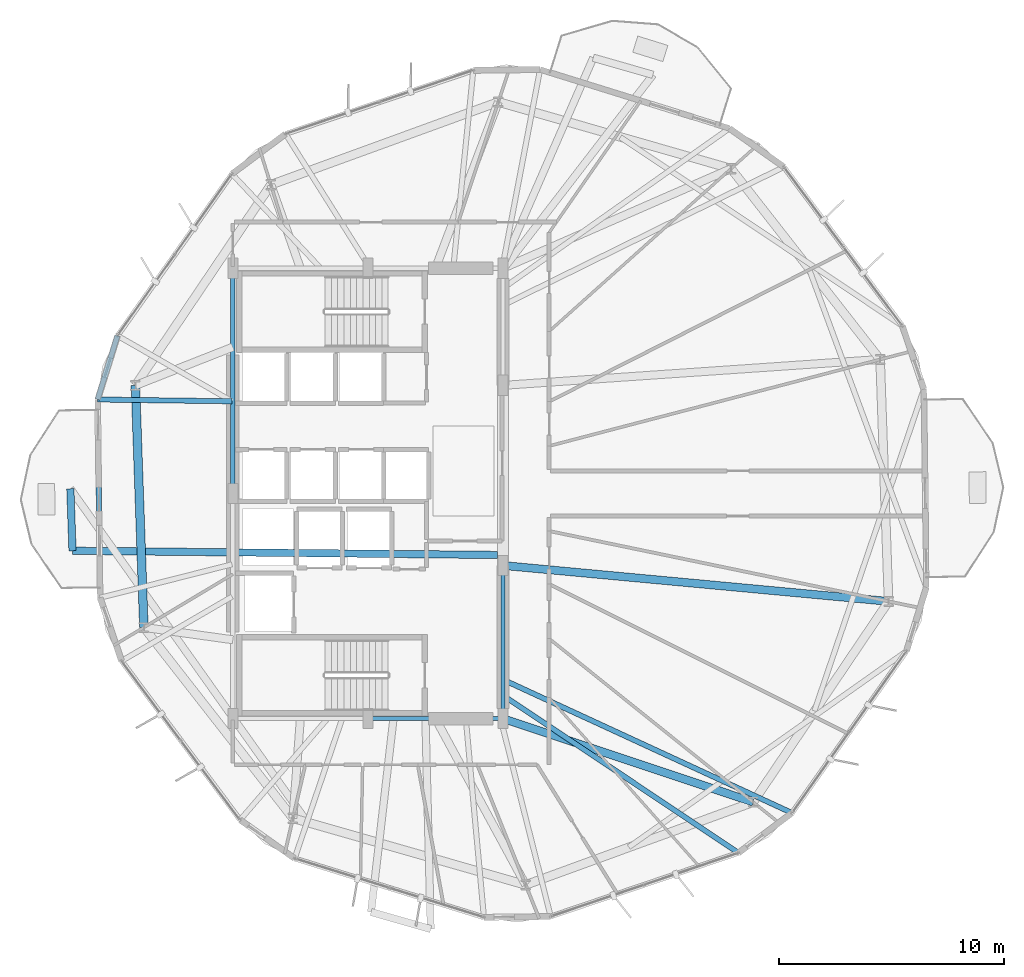
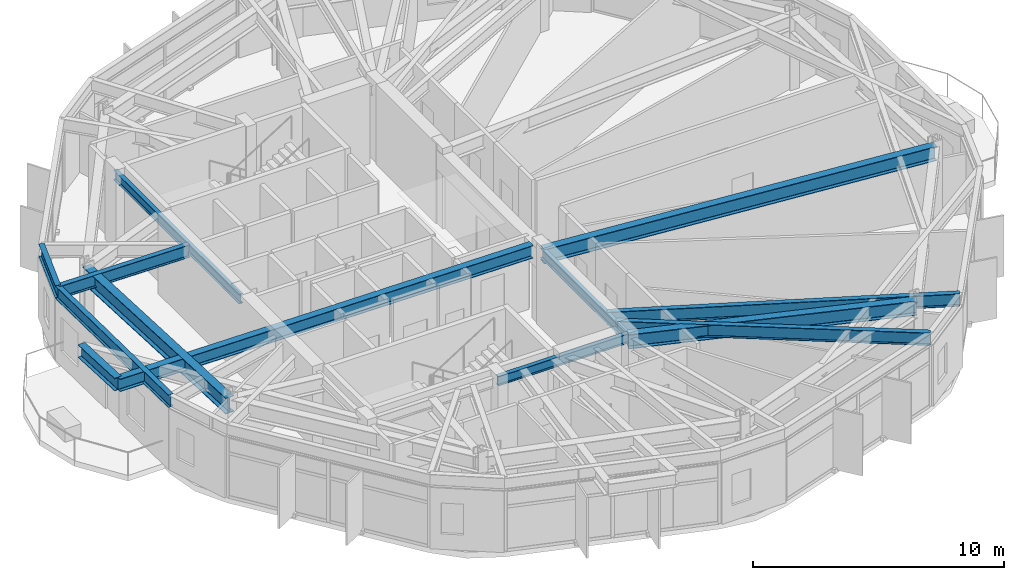
# One storey, part 8 of 25: 13 beams.
"""IFC4 building model written with IfcOpenShell, lengths in metres."""

import ifcopenshell
import ifcopenshell.guid

model = None  # the IFC model being written
_history = None  # IfcOwnerHistory: only IFC2X3 demands one
_inside = {}  # id of a spatial element -> (the spatial element, [elements in it])
_under = {}  # id of a project, library or spatial element -> (it, [spatial elements below it])
_declared = {}  # id of a project -> (the project, [libraries it declares])
_typed = {}  # id of a type object -> (the type object, [elements of that type])
_made_of = {}  # id of a material, layer set ... -> (it, [elements and type objects made of it])


def new_model(schema):
    """Start an empty IFC model of exactly this schema.

    Asked for "IFC4X3", IfcOpenShell would pick the latest addendum, in which some entities
    have other attributes; the version numbers below select the first issue.
    IFC2X3 requires an IfcOwnerHistory on every rooted entity: one is made here for all.
    """
    global model, _history
    if schema == "IFC4X3":
        model = ifcopenshell.file(schema_version=(4, 3, 0, 0))
    else:
        model = ifcopenshell.file(schema=schema)
    _inside.clear()
    _under.clear()
    _declared.clear()
    _typed.clear()
    _made_of.clear()
    _history = None
    if model.schema == "IFC2X3":
        org = make("IfcOrganization", Name="unknown")
        user = make(
            "IfcPersonAndOrganization",
            ThePerson=make("IfcPerson", FamilyName="unknown"),
            TheOrganization=org,
        )
        app = make(
            "IfcApplication",
            ApplicationDeveloper=org,
            Version="unknown",
            ApplicationFullName="unknown",
            ApplicationIdentifier="unknown",
        )
        _history = make(
            "IfcOwnerHistory",
            OwningUser=user,
            OwningApplication=app,
            ChangeAction="ADDED",
            CreationDate=0,
        )
    return model


def make(cls, **values):
    """One entity of the class cls with the attributes given. An attribute that is None is left unset."""
    return model.create_entity(
        cls, **{name: value for name, value in values.items() if value is not None}
    )


def rooted(cls, **values):
    """An entity with a GlobalId (a new one), such as an element, a storey or a relation."""
    return make(cls, GlobalId=ifcopenshell.guid.new(), OwnerHistory=_history, **values)


def si_unit(unit_type, name, prefix=None):
    """IfcSIUnit, for example si_unit("LENGTHUNIT", "METRE", prefix="MILLI")."""
    return make("IfcSIUnit", UnitType=unit_type, Prefix=prefix, Name=name)


def assignment(units):
    """IfcUnitAssignment: the units of a project."""
    return None if units is None else make("IfcUnitAssignment", Units=units)


def point(xyz):
    """IfcCartesianPoint."""
    return None if xyz is None else make("IfcCartesianPoint", Coordinates=xyz)


def direction(xyz):
    """IfcDirection."""
    return None if xyz is None else make("IfcDirection", DirectionRatios=xyz)


def frame(location, z_axis=None, x_axis=None):
    """IfcAxis2Placement3D, a coordinate frame: its origin and axes. An axis left out is left unset."""
    return make(
        "IfcAxis2Placement3D",
        Location=point(location),
        Axis=direction(z_axis),
        RefDirection=direction(x_axis),
    )


def frame_2d(location, x_axis=None):
    """IfcAxis2Placement2D, a coordinate frame in the plane: its origin and x axis."""
    return make(
        "IfcAxis2Placement2D", Location=point(location), RefDirection=direction(x_axis)
    )


def origin():
    """The frame at (0, 0, 0) with its axes left unset."""
    return frame((0.0, 0.0, 0.0))


def origin_2d():
    """The frame at (0, 0) in the plane with its x axis left unset."""
    return frame_2d((0.0, 0.0))


def place(relative_to, where):
    """IfcLocalPlacement: puts the frame where relative to a parent placement (None: the world)."""
    return make(
        "IfcLocalPlacement", PlacementRelTo=relative_to, RelativePlacement=where
    )


def context(
    kind, dimensions, precision=None, world=None, true_north=None, identifier=None
):
    """IfcGeometricRepresentationContext, for example the 3D "Model" context."""
    return make(
        "IfcGeometricRepresentationContext",
        ContextIdentifier=identifier,
        ContextType=kind,
        CoordinateSpaceDimension=dimensions,
        Precision=precision,
        WorldCoordinateSystem=world,
        TrueNorth=true_north,
    )


def subcontext(parent, identifier, kind, view, scale=None):
    """IfcGeometricRepresentationSubContext, for example "Body" below "Model"."""
    return make(
        "IfcGeometricRepresentationSubContext",
        ContextIdentifier=identifier,
        ContextType=kind,
        ParentContext=parent,
        TargetScale=scale,
        TargetView=view,
    )


def project(units=None, contexts=None):
    """IfcProject with its units and contexts."""
    return rooted(
        "IfcProject",
        Name="project",
        RepresentationContexts=contexts,
        UnitsInContext=assignment(units),
    )


def spatial(cls, under=None, at=None, **own):
    """A site, building, storey or space (cls), placed at a placement, below another one or the project."""
    s = rooted(cls, ObjectPlacement=at, **own)
    if under is not None:
        _under.setdefault(under.id(), (under, []))[1].append(s)
    return s


def profile(cls, at=None, kind="AREA", **sizes):
    """A parametric profile (cls). Its sizes go by their IFC names, for example OverallWidth=200.0."""
    return make(cls, ProfileType=kind, Position=at, **sizes)


def i_section(**sizes):
    """IfcIShapeProfileDef."""
    return profile("IfcIShapeProfileDef", **sizes)


def extrude(swept, where, along, depth):
    """IfcExtrudedAreaSolid: the profile swept, set in the frame where, extruded along a direction by depth."""
    return make(
        "IfcExtrudedAreaSolid",
        SweptArea=swept,
        Position=where,
        ExtrudedDirection=direction(along),
        Depth=depth,
    )


def shape(context_of_items, identifier, shape_type, items):
    """IfcShapeRepresentation: the items that make up one representation, for example the "Body"."""
    return make(
        "IfcShapeRepresentation",
        ContextOfItems=context_of_items,
        RepresentationIdentifier=identifier,
        RepresentationType=shape_type,
        Items=items,
    )


def material(Name=None, Category=None):
    """IfcMaterial."""
    return make("IfcMaterial", Name=Name, Category=Category)


def material_profile(
    of_material, cross_section, Name=None, Category=None, Priority=None
):
    """IfcMaterialProfile: a cross section and its material."""
    return make(
        "IfcMaterialProfile",
        Name=Name,
        Material=of_material,
        Profile=cross_section,
        Priority=Priority,
        Category=Category,
    )


def profile_set(profiles, Name=None, composite=None):
    """IfcMaterialProfileSet."""
    return make(
        "IfcMaterialProfileSet",
        Name=Name,
        MaterialProfiles=profiles,
        CompositeProfile=composite,
    )


def made_of(thing, what):
    """Note that an element or type object is made of a material, layer set ...; save() writes the relation."""
    if what is not None:
        _made_of.setdefault(what.id(), (what, []))[1].append(thing)
    return thing


def type_object(cls, material=None, **own):
    """A type object (cls), such as IfcWallType, which elements share."""
    return made_of(rooted(cls, **own), material)


def element(
    cls,
    number,
    at=None,
    inside=None,
    cuts=None,
    type_object=None,
    material=None,
    context=None,
    identifier="Body",
    shape_type=None,
    held_by="IfcProductDefinitionShape",
    body=None,
    shapes=None,
    **own,
):
    """One element of the class cls, such as IfcWall. Its Tag is "e" and its number.

    at: its placement. inside: the storey or other place that contains it. cuts: it is an
    opening in that element (IfcRelVoidsElement). A single representation is given by context,
    identifier, shape_type and body (its items); several are given by shapes. held_by: the class
    of the entity that holds the representations. save() writes the other relations.
    """
    e = rooted(cls, Tag="e%d" % number, ObjectPlacement=at, **own)
    if body is not None:
        shapes = [shape(context, identifier, shape_type, body)]
    if shapes is not None:
        e.Representation = make(held_by, Representations=shapes)
    if inside is not None:
        _inside.setdefault(inside.id(), (inside, []))[1].append(e)
    if cuts is not None:
        rooted(
            "IfcRelVoidsElement", RelatingBuildingElement=cuts, RelatedOpeningElement=e
        )
    if type_object is not None:
        _typed.setdefault(type_object.id(), (type_object, []))[1].append(e)
    return made_of(e, material)


def aggregate(whole, parts):
    """IfcRelAggregates: a whole, such as a stair, and the parts it consists of."""
    return rooted("IfcRelAggregates", RelatingObject=whole, RelatedObjects=parts)


def save(model, path):
    """Write the relations noted so far, then the file.

    IfcRelAggregates (storeys below a building ...), IfcRelContainedInSpatialStructure (elements
    in a storey), IfcRelDefinesByType, IfcRelAssociatesMaterial and IfcRelDeclares: one each for
    every whole, place, type object, material and project.
    """
    for whole, parts in _under.values():
        aggregate(whole, parts)
    for where, things in _inside.values():
        rooted(
            "IfcRelContainedInSpatialStructure",
            RelatedElements=things,
            RelatingStructure=where,
        )
    for kind, things in _typed.values():
        rooted("IfcRelDefinesByType", RelatedObjects=things, RelatingType=kind)
    for what, things in _made_of.values():
        rooted("IfcRelAssociatesMaterial", RelatedObjects=things, RelatingMaterial=what)
    for by, libraries in _declared.values():
        rooted("IfcRelDeclares", RelatingContext=by, RelatedDefinitions=libraries)
    model.write(path)


model = new_model("IFC4")

# Units and contexts
model_context = context("Model", 3, precision=1e-05, world=origin(), true_north=direction((0.0, 1.0)))
body_context = subcontext(model_context, "Body", "Model", "MODEL_VIEW")
ifc_project = project(units=[si_unit("LENGTHUNIT", "METRE"), si_unit("AREAUNIT", "SQUARE_METRE"), si_unit("VOLUMEUNIT", "CUBIC_METRE"), si_unit("PLANEANGLEUNIT", "RADIAN"), si_unit("MASSUNIT", "GRAM", prefix="KILO")], contexts=[model_context])

# Site, building, storey
site_placement = place(None, origin())
site = spatial("IfcSite", under=ifc_project, at=site_placement, CompositionType="ELEMENT")
building_placement = place(site_placement, origin())
building = spatial("IfcBuilding", under=site, at=building_placement, Name="Soratama Intermodal Tower", CompositionType="ELEMENT")
storey_placement = place(building_placement, frame((0.0, 0.0, 106.89990234375)))
storey = spatial("IfcBuildingStorey", under=building, at=storey_placement, Name="L25", CompositionType="ELEMENT", Elevation=106.89990234375)

# Beams
ifc_material_1 = material(Name="Structural steel ASTM A992 Grade 50", Category="steel")
ifc_material_profile_1 = material_profile(ifc_material_1, i_section(OverallWidth=0.324951171875, OverallDepth=0.615966796875, WebThickness=0.013916015625, FlangeThickness=0.021484375, FilletRadius=0.013916015625, at=origin_2d()), Name="W24X117")
ifc_profile_set_1 = profile_set([ifc_material_profile_1], Name="Structural steel ASTM A992 Grade 50")
beam_type_1 = type_object("IfcBeamType", Name="BM-CANT-W24X117", PredefinedType="BEAM", material=ifc_profile_set_1)
beam_1_placement = place(storey_placement, frame((25.383056640625, 25.2080078125, 3.2919921875), z_axis=(0.03480389059, -0.99939416108, 0.0), x_axis=(0.99939416108, 0.03480389059, 0.0)))
element("IfcBeam", 1, at=beam_1_placement, inside=storey, type_object=beam_type_1, Name="BM-L25-CBHDR-2", PredefinedType="BEAM", context=body_context, shape_type="SweptSolid", body=[
    extrude(i_section(OverallWidth=0.324951171875, OverallDepth=0.615966796875, WebThickness=0.013916015625, FlangeThickness=0.021484375, FilletRadius=0.013916015625, at=origin_2d()), origin(), (0.0, 0.0, 1.0), 2.7568359375),
])
beam_2_placement = place(storey_placement, frame((44.364990234375, 22.26611328125, 3.2919921875), z_axis=(-0.9999511053, 0.009888731408, 0.0), x_axis=(-0.009888731408, -0.9999511053, 0.0)))
element("IfcBeam", 2, at=beam_2_placement, inside=storey, type_object=beam_type_1, Name="BM-L25-CANT-2-2", PredefinedType="BEAM", context=body_context, shape_type="SweptSolid", body=[
    extrude(i_section(OverallWidth=0.324951171875, OverallDepth=0.615966796875, WebThickness=0.013916015625, FlangeThickness=0.021484375, FilletRadius=0.013916015625, at=origin_2d()), origin(), (0.0, 0.0, 1.0), 18.886962890625),
])
ifc_material_2 = material(Name="Structural steel ASTM A992 Grade 50", Category="steel")
ifc_material_profile_2 = material_profile(ifc_material_2, i_section(OverallWidth=0.19091796875, OverallDepth=0.4599609375, WebThickness=0.010009765625, FlangeThickness=0.01611328125, FilletRadius=0.010986328125, at=origin_2d()), Name="W18X55")
ifc_profile_set_2 = profile_set([ifc_material_profile_2], Name="Structural steel ASTM A992 Grade 50")
beam_type_2 = type_object("IfcBeamType", Name="BM-FLR-W18X55", PredefinedType="BEAM", material=ifc_profile_set_2)
beam_3_placement = place(storey_placement, frame((38.60009765625, 15.0, 3.3701171875), z_axis=(1.0, 0.0, 0.0), x_axis=(0.0, 1.0, 0.0)))
element("IfcBeam", 3, at=beam_3_placement, inside=storey, type_object=beam_type_2, Name="BM-L25-CRING-02", PredefinedType="BEAM", context=body_context, shape_type="SweptSolid", body=[
    extrude(i_section(OverallWidth=0.19091796875, OverallDepth=0.4599609375, WebThickness=0.010009765625, FlangeThickness=0.01611328125, FilletRadius=0.010986328125, at=origin_2d()), origin(), (0.0, 0.0, 1.0), 6.0),
])
beam_4_placement = place(storey_placement, frame((44.60009765625, 15.0, 3.3701171875), z_axis=(0.0, 1.0, 0.0), x_axis=(-1.0, 0.0, 0.0)))
element("IfcBeam", 4, at=beam_4_placement, inside=storey, type_object=beam_type_2, Name="BM-L25-CRING-03", PredefinedType="BEAM", context=body_context, shape_type="SweptSolid", body=[
    extrude(i_section(OverallWidth=0.19091796875, OverallDepth=0.4599609375, WebThickness=0.010009765625, FlangeThickness=0.01611328125, FilletRadius=0.010986328125, at=origin_2d()), origin(), (0.0, 0.0, 1.0), 6.800048828125),
])
beam_5_placement = place(storey_placement, frame((32.60009765625, 35.0, 3.3701171875), z_axis=(0.0, -1.0, 0.0), x_axis=(1.0, 0.0, 0.0)))
element("IfcBeam", 5, at=beam_5_placement, inside=storey, type_object=beam_type_2, Name="BM-L25-CRING-08", PredefinedType="BEAM", context=body_context, shape_type="SweptSolid", body=[
    extrude(i_section(OverallWidth=0.19091796875, OverallDepth=0.4599609375, WebThickness=0.010009765625, FlangeThickness=0.01611328125, FilletRadius=0.010986328125, at=origin_2d()), origin(), (0.0, 0.0, 1.0), 10.0),
])
ifc_material_3 = material(Name="Structural steel ASTM A992 Grade 50", Category="steel")
ifc_material_profile_3 = material_profile(ifc_material_3, i_section(OverallWidth=0.35498046875, OverallDepth=0.695068359375, WebThickness=0.015380859375, FlangeThickness=0.02490234375, FilletRadius=0.01611328125, at=origin_2d()), Name="W27X146")
ifc_profile_set_3 = profile_set([ifc_material_profile_3], Name="Structural steel ASTM A992 Grade 50")
beam_type_3 = type_object("IfcBeamType", Name="BM-RING-W27X146", PredefinedType="BEAM", material=ifc_profile_set_3)
beam_6_placement = place(storey_placement, frame((44.60009765625, 15.0, 3.252685546875), z_axis=(0.948503923169, -0.316765382787, 0.0), x_axis=(0.316765382787, 0.948503923169, 0.0)))
element("IfcBeam", 6, at=beam_6_placement, inside=storey, type_object=beam_type_3, Name="BM-L25-RAD-09", PredefinedType="BEAM", context=body_context, shape_type="SweptSolid", body=[
    extrude(i_section(OverallWidth=0.35498046875, OverallDepth=0.695068359375, WebThickness=0.015380859375, FlangeThickness=0.02490234375, FilletRadius=0.01611328125, at=origin_2d()), origin(), (0.0, 0.0, 1.0), 11.715087890625),
])
beam_7_placement = place(storey_placement, frame((44.60009765625, 21.800048828125, 3.252685546875), z_axis=(0.995686011515, -0.092786671855, 0.0), x_axis=(0.092786671855, 0.995686011515, 0.0)))
element("IfcBeam", 7, at=beam_7_placement, inside=storey, type_object=beam_type_3, Name="BM-L25-RAD-10", PredefinedType="BEAM", context=body_context, shape_type="SweptSolid", body=[
    extrude(i_section(OverallWidth=0.35498046875, OverallDepth=0.695068359375, WebThickness=0.015380859375, FlangeThickness=0.02490234375, FilletRadius=0.01611328125, at=origin_2d()), origin(), (0.0, 0.0, 1.0), 17.2001953125),
])
ifc_material_4 = material(Name="Structural steel ASTM A992 Grade 50", Category="steel")
ifc_material_profile_4 = material_profile(ifc_material_4, i_section(OverallWidth=0.382080078125, OverallDepth=0.779052734375, WebThickness=0.01806640625, FlangeThickness=0.030029296875, FilletRadius=0.01806640625, at=origin_2d()), Name="W30X191")
ifc_profile_set_4 = profile_set([ifc_material_profile_4], Name="Structural steel ASTM A992 Grade 50")
beam_type_4 = type_object("IfcBeamType", Name="BM-RING-W30X191", PredefinedType="BEAM", material=ifc_profile_set_4)
beam_8_placement = place(storey_placement, frame((28.27392578125, 29.7958984375, 3.210693359375), z_axis=(0.034872799059, -0.999391758964, 0.0), x_axis=(0.999391758964, 0.034872799059, 0.0)))
element("IfcBeam", 8, at=beam_8_placement, inside=storey, type_object=beam_type_4, Name="BM-L25-RING-05", PredefinedType="BEAM", context=body_context, shape_type="SweptSolid", body=[
    extrude(i_section(OverallWidth=0.382080078125, OverallDepth=0.779052734375, WebThickness=0.01806640625, FlangeThickness=0.030029296875, FilletRadius=0.01806640625, at=origin_2d()), origin(), (0.0, 0.0, 1.0), 10.75341796875),
])
ifc_material_5 = material(Name="Structural steel ASTM A992 Grade 50", Category="steel")
ifc_material_profile_5 = material_profile(ifc_material_5, i_section(OverallWidth=0.22900390625, OverallDepth=0.612060546875, WebThickness=0.011962890625, FlangeThickness=0.01953125, FilletRadius=0.012939453125, at=origin_2d()), Name="W24X84")
ifc_profile_set_5 = profile_set([ifc_material_profile_5], Name="Structural steel ASTM A992 Grade 50")
beam_type_5 = type_object("IfcBeamType", Name="BM-SPN-W24X84", PredefinedType="SPANDREL", material=ifc_profile_set_5)
beam_9_placement = place(storey_placement, frame((27.47509765625, 32.0048828125, 3.294189453125), z_axis=(-0.297004858098, -0.954875968001, 0.0), x_axis=(0.954875968001, -0.297004858098, 0.0)))
element("IfcBeam", 9, at=beam_9_placement, inside=storey, type_object=beam_type_5, Name="BS-L25-CRN04", PredefinedType="SPANDREL", context=body_context, shape_type="SweptSolid", body=[
    extrude(i_section(OverallWidth=0.22900390625, OverallDepth=0.612060546875, WebThickness=0.011962890625, FlangeThickness=0.01953125, FilletRadius=0.012939453125, at=origin_2d()), origin(), (0.0, 0.0, 1.0), 2.966552734375),
])
beam_10_placement = place(storey_placement, frame((26.593994140625, 29.172119140625, 3.294189453125), z_axis=(0.012613357473, -0.999920448442, 0.0), x_axis=(0.999920448442, 0.012613357473, 0.0)))
element("IfcBeam", 10, at=beam_10_placement, inside=storey, type_object=beam_type_5, Name="BS-L25-F05", PredefinedType="SPANDREL", context=body_context, shape_type="SweptSolid", body=[
    extrude(i_section(OverallWidth=0.22900390625, OverallDepth=0.612060546875, WebThickness=0.011962890625, FlangeThickness=0.01953125, FilletRadius=0.012939453125, at=origin_2d()), origin(), (0.0, 0.0, 1.0), 8.806884765625),
])
ifc_material_6 = material(Name="Structural steel ASTM A992 Grade 50", Category="steel")
ifc_material_profile_6 = material_profile(ifc_material_6, i_section(OverallWidth=0.22900390625, OverallDepth=0.612060546875, WebThickness=0.011962890625, FlangeThickness=0.01953125, FilletRadius=0.012939453125, at=origin_2d()), Name="W24X84")
ifc_profile_set_6 = profile_set([ifc_material_profile_6], Name="Structural steel ASTM A992 Grade 50")
beam_type_6 = type_object("IfcBeamType", Name="BM-TIE-W24X84", PredefinedType="BEAM", material=ifc_profile_set_6)
beam_11_placement = place(storey_placement, frame((32.56005859375, 29.092041015625, 3.294189453125), z_axis=(-0.99990993351, 0.013421060613, 0.0), x_axis=(-0.013421060613, -0.99990993351, 0.0)))
element("IfcBeam", 11, at=beam_11_placement, inside=storey, type_object=beam_type_6, Name="BM-L25-TIE0-05", PredefinedType="BEAM", context=body_context, shape_type="SweptSolid", body=[
    extrude(i_section(OverallWidth=0.22900390625, OverallDepth=0.612060546875, WebThickness=0.011962890625, FlangeThickness=0.01953125, FilletRadius=0.012939453125, at=origin_2d()), origin(), (0.0, 0.0, 1.0), 5.966552734375),
])
beam_12_placement = place(storey_placement, frame((44.633056640625, 16.009033203125, 3.294189453125), z_axis=(0.831103044897, -0.556118448502, 0.0), x_axis=(0.556118448502, 0.831103044897, 0.0)))
element("IfcBeam", 12, at=beam_12_placement, inside=storey, type_object=beam_type_6, Name="BM-L25-TIE1-08", PredefinedType="BEAM", context=body_context, shape_type="SweptSolid", body=[
    extrude(i_section(OverallWidth=0.22900390625, OverallDepth=0.612060546875, WebThickness=0.011962890625, FlangeThickness=0.01953125, FilletRadius=0.012939453125, at=origin_2d()), origin(), (0.0, 0.0, 1.0), 12.5458984375),
])
beam_13_placement = place(storey_placement, frame((44.635986328125, 16.714111328125, 3.294189453125), z_axis=(0.907970533643, -0.419034020142, 0.0), x_axis=(0.419034020142, 0.907970533643, 0.0)))
element("IfcBeam", 13, at=beam_13_placement, inside=storey, type_object=beam_type_6, Name="BM-L25-TIE0-09", PredefinedType="BEAM", context=body_context, shape_type="SweptSolid", body=[
    extrude(i_section(OverallWidth=0.22900390625, OverallDepth=0.612060546875, WebThickness=0.011962890625, FlangeThickness=0.01953125, FilletRadius=0.012939453125, at=origin_2d()), origin(), (0.0, 0.0, 1.0), 14.099609375),
])

save(model, "model.ifc")
